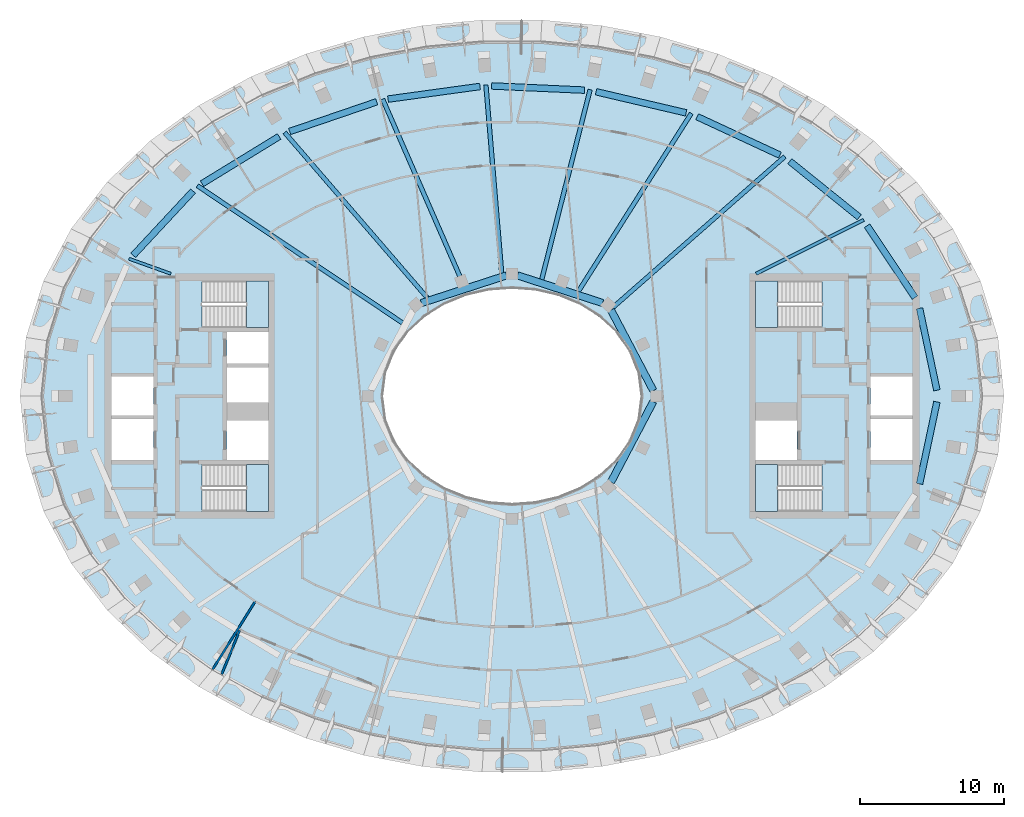
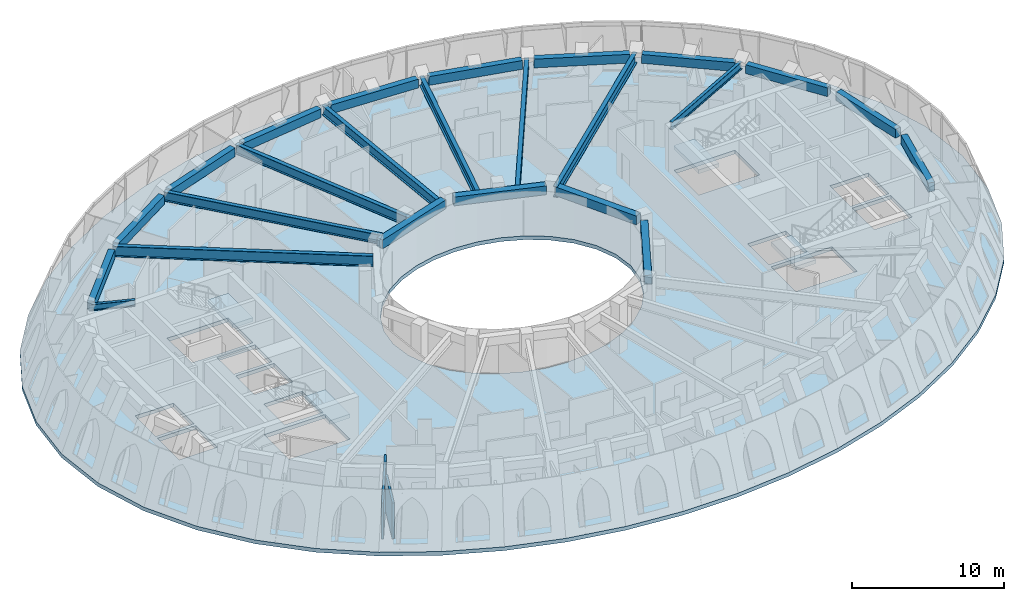
# One storey, part 2 of 14: 24 beams, 5 slabs, 2 walls, 4 elements without a shape of their own.
"""IFC4 building model written with IfcOpenShell, lengths in metres."""

from ifc_helpers import new_model, si_unit, direction, frame, frame_2d, origin, origin_2d, place, context, subcontext, project, spatial, polyline, rectangle, i_section, outline, extrude, material, layer, layer_set, material_profile, profile_set, type_object, element, aggregate, save


model = new_model("IFC4")

# Units and contexts
model_context = context("Model", 3, precision=1e-05, world=origin(), true_north=direction((0.0, 1.0)))
body_context = subcontext(model_context, "Body", "Model", "MODEL_VIEW")
ifc_project = project(units=[si_unit("LENGTHUNIT", "METRE"), si_unit("AREAUNIT", "SQUARE_METRE"), si_unit("VOLUMEUNIT", "CUBIC_METRE"), si_unit("PLANEANGLEUNIT", "RADIAN"), si_unit("MASSUNIT", "GRAM", prefix="KILO")], contexts=[model_context])

# Site, building, storey
site_placement = place(None, origin())
site = spatial("IfcSite", under=ifc_project, at=site_placement, CompositionType="ELEMENT")
building_placement = place(site_placement, origin())
building = spatial("IfcBuilding", under=site, at=building_placement, Name="Noorbagh Ring Tower", CompositionType="ELEMENT")
storey_placement = place(building_placement, frame((0.0, 0.0, 343.0)))
storey = spatial("IfcBuildingStorey", under=building, at=storey_placement, Name="L75", CompositionType="ELEMENT", Elevation=343.0)

# Beams
ifc_material_1 = material(Name="Steel S355", Category="steel")
ifc_material_profile_1 = material_profile(ifc_material_1, i_section(OverallWidth=0.199951171875, OverallDepth=0.5, WebThickness=0.01025390625, FlangeThickness=0.01611328125, FilletRadius=0.02099609375, at=origin_2d()), Name="IPE500")
ifc_profile_set_1 = profile_set([ifc_material_profile_1], Name="Steel S355")
beam_type_1 = type_object("IfcBeamType", Name="STR-RAD-IPE500", PredefinedType="BEAM", material=ifc_profile_set_1)
beam_1_placement = place(storey_placement, frame((-26.586669921875, 9.5322265625, 3.330078125), z_axis=(0.941303269427, -0.337562075723, 0.0), x_axis=(0.337562075723, 0.941303269427, 0.0)))
element("IfcBeam", 1, at=beam_1_placement, inside=storey, type_object=beam_type_1, Name="L75/bm/RD21", PredefinedType="BEAM", context=body_context, shape_type="SweptSolid", body=[
    extrude(i_section(OverallWidth=0.199951171875, OverallDepth=0.5, WebThickness=0.01025390625, FlangeThickness=0.01611328125, FilletRadius=0.02099609375, at=origin_2d()), origin(), (0.0, 0.0, 1.0), 3.078125),
])
ifc_material_2 = material(Name="Steel S355", Category="steel")
ifc_material_profile_2 = material_profile(ifc_material_2, i_section(OverallWidth=0.219970703125, OverallDepth=0.60009765625, WebThickness=0.011962890625, FlangeThickness=0.01904296875, FilletRadius=0.02392578125, at=origin_2d()), Name="IPE600")
ifc_profile_set_2 = profile_set([ifc_material_profile_2], Name="Steel S355")
beam_type_2 = type_object("IfcBeamType", Name="STR-RAD-IPE600", PredefinedType="BEAM", material=ifc_profile_set_2)
beam_2_placement = place(storey_placement, frame((24.421142578125, 12.231689453125, 3.280029296875), z_axis=(-0.894117158384, -0.447833124146, 0.0), x_axis=(0.447833124146, -0.894117158384, 0.0)))
element("IfcBeam", 2, at=beam_2_placement, inside=storey, type_object=beam_type_2, Name="L75/bm/RD05", PredefinedType="BEAM", context=body_context, shape_type="SweptSolid", body=[
    extrude(i_section(OverallWidth=0.219970703125, OverallDepth=0.60009765625, WebThickness=0.011962890625, FlangeThickness=0.01904296875, FilletRadius=0.02392578125, at=origin_2d()), origin(), (0.0, 0.0, 1.0), 8.35302734375),
])
ifc_material_3 = material(Name="Steel S355", Category="steel")
ifc_material_profile_3 = material_profile(ifc_material_3, i_section(OverallWidth=0.300048828125, OverallDepth=0.75, WebThickness=0.013916015625, FlangeThickness=0.02587890625, at=origin_2d()), Name="PG750x300x14x26")
ifc_profile_set_3 = profile_set([ifc_material_profile_3], Name="Steel S355")
beam_type_3 = type_object("IfcBeamType", Name="STR-RAD-PG750x300x14x26", PredefinedType="BEAM", material=ifc_profile_set_3)
beam_3_placement = place(storey_placement, frame((12.447021484375, 19.626953125, 3.205078125), z_axis=(-0.535561733224, -0.844496080456, 0.0), x_axis=(0.844496080456, -0.535561733224, 0.0)))
element("IfcBeam", 3, at=beam_3_placement, inside=storey, type_object=beam_type_3, Name="L75/bm/RD09", PredefinedType="BEAM", context=body_context, shape_type="SweptSolid", body=[
    extrude(i_section(OverallWidth=0.300048828125, OverallDepth=0.75, WebThickness=0.013916015625, FlangeThickness=0.02587890625, at=origin_2d()), origin(), (0.0, 0.0, 1.0), 14.653076171875),
])
beam_4_placement = place(storey_placement, frame((5.421142578125, 21.27001953125, 3.205078125), z_axis=(-0.246984226711, -0.969019500194, 0.0), x_axis=(0.969019500194, -0.246984226711, 0.0)))
element("IfcBeam", 4, at=beam_4_placement, inside=storey, type_object=beam_type_3, Name="L75/bm/RD11", PredefinedType="BEAM", context=body_context, shape_type="SweptSolid", body=[
    extrude(i_section(OverallWidth=0.300048828125, OverallDepth=0.75, WebThickness=0.013916015625, FlangeThickness=0.02587890625, at=origin_2d()), origin(), (0.0, 0.0, 1.0), 13.615478515625),
])
beam_5_placement = place(storey_placement, frame((-1.8125, 21.59619140625, 3.205078125), z_axis=(0.083624107513, -0.996497370113, 0.0), x_axis=(0.996497370113, 0.083624107513, 0.0)))
element("IfcBeam", 5, at=beam_5_placement, inside=storey, type_object=beam_type_3, Name="L75/bm/RD13", PredefinedType="BEAM", context=body_context, shape_type="SweptSolid", body=[
    extrude(i_section(OverallWidth=0.300048828125, OverallDepth=0.75, WebThickness=0.013916015625, FlangeThickness=0.02587890625, at=origin_2d()), origin(), (0.0, 0.0, 1.0), 13.12890625),
])
beam_6_placement = place(storey_placement, frame((-8.978515625, 20.615234375, 3.205078125), z_axis=(0.399297222703, -0.916821535492, 0.0), x_axis=(0.916821535492, 0.399297222703, 0.0)))
element("IfcBeam", 6, at=beam_6_placement, inside=storey, type_object=beam_type_3, Name="L75/bm/RD15", PredefinedType="BEAM", context=body_context, shape_type="SweptSolid", body=[
    extrude(i_section(OverallWidth=0.300048828125, OverallDepth=0.75, WebThickness=0.013916015625, FlangeThickness=0.02587890625, at=origin_2d()), origin(), (0.0, 0.0, 1.0), 14.12890625),
])
beam_7_placement = place(storey_placement, frame((-15.783203125, 18.299072265625, 3.205078125), z_axis=(0.653131933297, -0.757244133492, 0.0), x_axis=(0.757244133492, 0.653131933297, 0.0)))
element("IfcBeam", 7, at=beam_7_placement, inside=storey, type_object=beam_type_3, Name="L75/bm/RD17", PredefinedType="BEAM", context=body_context, shape_type="SweptSolid", body=[
    extrude(i_section(OverallWidth=0.300048828125, OverallDepth=0.75, WebThickness=0.013916015625, FlangeThickness=0.02587890625, at=origin_2d()), origin(), (0.0, 0.0, 1.0), 15.1416015625),
])
ifc_material_4 = material(Name="Steel S355", Category="steel")
ifc_material_profile_4 = material_profile(ifc_material_4, i_section(OverallWidth=0.300048828125, OverallDepth=0.85009765625, WebThickness=0.013916015625, FlangeThickness=0.028076171875, at=origin_2d()), Name="PG850x300x14x28")
ifc_profile_set_4 = profile_set([ifc_material_profile_4], Name="Steel S355")
beam_type_4 = type_object("IfcBeamType", Name="STR-RAD-PG850x300x14x28", PredefinedType="BEAM", material=ifc_profile_set_4)
beam_8_placement = place(storey_placement, frame((18.935302734375, 16.625244140625, 3.155029296875), z_axis=(-0.751460685639, -0.659777870149, 0.0), x_axis=(0.659777870149, -0.751460685639, 0.0)))
element("IfcBeam", 8, at=beam_8_placement, inside=storey, type_object=beam_type_4, Name="L75/bm/RD07", PredefinedType="BEAM", context=body_context, shape_type="SweptSolid", body=[
    extrude(i_section(OverallWidth=0.300048828125, OverallDepth=0.85009765625, WebThickness=0.013916015625, FlangeThickness=0.028076171875, at=origin_2d()), origin(), (0.0, 0.0, 1.0), 16.304931640625),
])
beam_9_placement = place(storey_placement, frame((-21.84033203125, 14.601806640625, 3.155029296875), z_axis=(0.831319419841, -0.555794946177, 0.0), x_axis=(0.555794946177, 0.831319419841, 0.0)))
element("IfcBeam", 9, at=beam_9_placement, inside=storey, type_object=beam_type_4, Name="L75/bm/RD19", PredefinedType="BEAM", context=body_context, shape_type="SweptSolid", body=[
    extrude(i_section(OverallWidth=0.300048828125, OverallDepth=0.85009765625, WebThickness=0.013916015625, FlangeThickness=0.028076171875, at=origin_2d()), origin(), (0.0, 0.0, 1.0), 17.1298828125),
])
ifc_material_5 = material(Name="Concrete C40/50", Category="concrete")
ifc_material_profile_5 = material_profile(ifc_material_5, rectangle(XDim=0.5, YDim=0.699951171875, at=origin_2d()), Name="RC500x700")
ifc_profile_set_5 = profile_set([ifc_material_profile_5], Name="Concrete C40/50")
beam_type_5 = type_object("IfcBeamType", Name="STR-RB-RC500x700-C40-50", PredefinedType="BEAM", material=ifc_profile_set_5)
beam_10_placement = place(storey_placement, frame((9.8076171875, 0.38232421875, 3.22998046875), z_axis=(-0.464943021964, 0.885340604698, 0.0), x_axis=(-0.885340604698, -0.464943021964, 0.0)))
element("IfcBeam", 10, at=beam_10_placement, inside=storey, type_object=beam_type_5, Name="L75/bm/RG01", PredefinedType="BEAM", context=body_context, shape_type="SweptSolid", body=[
    extrude(rectangle(XDim=0.5, YDim=0.699951171875, at=origin_2d()), origin(), (0.0, 0.0, 1.0), 6.313720703125),
])
for number, where, z_axis, x_axis, name in (
    (11, (6.286865234375, 6.462158203125, 3.22998046875), (-0.951150444931, 0.308727762126, 0.0), (-0.308727762126, -0.951150444931, 0.0), "L75/bm/RG03"),
    (12, (-0.380859375, 8.379150390625, 3.22998046875), (-0.951150444931, -0.308727762126, 0.0), (0.308727762126, -0.951150444931, 0.0), "L75/bm/RG05"),
):
    element("IfcBeam", number, at=place(storey_placement, frame(where, z_axis=z_axis, x_axis=x_axis)), inside=storey, type_object=beam_type_5, Name=name, PredefinedType="BEAM", context=body_context, shape_type="SweptSolid", body=[
        extrude(rectangle(XDim=0.5, YDim=0.699951171875, at=origin_2d()), origin(), (0.0, 0.0, 1.0), 6.209228515625),
    ])
beam_11_placement = place(storey_placement, frame((6.8720703125, -5.97216796875, 3.22998046875), z_axis=(0.464943021964, 0.885340604698, 0.0), x_axis=(-0.885340604698, 0.464943021964, 0.0)))
element("IfcBeam", 13, at=beam_11_placement, inside=storey, type_object=beam_type_5, Name="L75/bm/RG15", PredefinedType="BEAM", context=body_context, shape_type="SweptSolid", body=[
    extrude(rectangle(XDim=0.5, YDim=0.699951171875, at=origin_2d()), origin(), (0.0, 0.0, 1.0), 6.313720703125),
])
ifc_material_6 = material(Name="Concrete C40/50", Category="concrete")
ifc_material_profile_6 = material_profile(ifc_material_6, rectangle(XDim=0.449951171875, YDim=0.699951171875, at=origin_2d()), Name="RC450x700")
ifc_profile_set_6 = profile_set([ifc_material_profile_6], Name="Concrete C40/50")
beam_type_6 = type_object("IfcBeamType", Name="STR-SB-RC450x700-C40-50", PredefinedType="BEAM", material=ifc_profile_set_6)
beam_12_placement = place(storey_placement, frame((29.499267578125, 0.405517578125, 3.22998046875), z_axis=(-0.207227675209, 0.978292742806, 0.0), x_axis=(-0.978292742806, -0.207227675209, 0.0)))
element("IfcBeam", 14, at=beam_12_placement, inside=storey, type_object=beam_type_6, Name="L75/bm/SP01", PredefinedType="BEAM", context=body_context, shape_type="SweptSolid", body=[
    extrude(rectangle(XDim=0.449951171875, YDim=0.699951171875, at=origin_2d()), origin(), (0.0, 0.0, 1.0), 5.811767578125),
])
beam_13_placement = place(storey_placement, frame((27.98046875, 6.83837890625, 3.22998046875), z_axis=(-0.554916538762, 0.831906025347, 0.0), x_axis=(-0.831906025347, -0.554916538762, 0.0)))
element("IfcBeam", 15, at=beam_13_placement, inside=storey, type_object=beam_type_6, Name="L75/bm/SP03", PredefinedType="BEAM", context=body_context, shape_type="SweptSolid", body=[
    extrude(rectangle(XDim=0.449951171875, YDim=0.699951171875, at=origin_2d()), origin(), (0.0, 0.0, 1.0), 5.9892578125),
])
beam_14_placement = place(storey_placement, frame((24.1103515625, 12.4189453125, 3.22998046875), z_axis=(-0.779092016684, 0.626909586415, 0.0), x_axis=(-0.626909586415, -0.779092016684, 0.0)))
element("IfcBeam", 16, at=beam_14_placement, inside=storey, type_object=beam_type_6, Name="L75/bm/SP05", PredefinedType="BEAM", context=body_context, shape_type="SweptSolid", body=[
    extrude(rectangle(XDim=0.449951171875, YDim=0.699951171875, at=origin_2d()), origin(), (0.0, 0.0, 1.0), 6.19091796875),
])
beam_15_placement = place(storey_placement, frame((18.598876953125, 16.72802734375, 3.22998046875), z_axis=(-0.906970067823, 0.421195080779, 0.0), x_axis=(-0.421195080779, -0.906970067823, 0.0)))
element("IfcBeam", 17, at=beam_15_placement, inside=storey, type_object=beam_type_6, Name="L75/bm/SP07", PredefinedType="BEAM", context=body_context, shape_type="SweptSolid", body=[
    extrude(rectangle(XDim=0.449951171875, YDim=0.699951171875, at=origin_2d()), origin(), (0.0, 0.0, 1.0), 6.3359375),
])
beam_16_placement = place(storey_placement, frame((12.08642578125, 19.661376953125, 3.22998046875), z_axis=(-0.973567575647, 0.228399158601, 0.0), x_axis=(-0.228399158601, -0.973567575647, 0.0)))
element("IfcBeam", 18, at=beam_16_placement, inside=storey, type_object=beam_type_6, Name="L75/bm/SP09", PredefinedType="BEAM", context=body_context, shape_type="SweptSolid", body=[
    extrude(rectangle(XDim=0.449951171875, YDim=0.699951171875, at=origin_2d()), origin(), (0.0, 0.0, 1.0), 6.419921875),
])
beam_17_placement = place(storey_placement, frame((5.03369140625, 21.239013671875, 3.22998046875), z_axis=(-0.998979199378, 0.045172549292, 0.0), x_axis=(-0.045172549292, -0.998979199378, 0.0)))
element("IfcBeam", 19, at=beam_17_placement, inside=storey, type_object=beam_type_6, Name="L75/bm/SP11", PredefinedType="BEAM", context=body_context, shape_type="SweptSolid", body=[
    extrude(rectangle(XDim=0.449951171875, YDim=0.699951171875, at=origin_2d()), origin(), (0.0, 0.0, 1.0), 6.453125),
])
beam_18_placement = place(storey_placement, frame((-2.22216796875, 21.49365234375, 3.22998046875), z_axis=(-0.990701967037, -0.136050036786, 0.0), x_axis=(0.136050036786, -0.990701967037, 0.0)))
element("IfcBeam", 20, at=beam_18_placement, inside=storey, type_object=beam_type_6, Name="L75/bm/SP13", PredefinedType="BEAM", context=body_context, shape_type="SweptSolid", body=[
    extrude(rectangle(XDim=0.449951171875, YDim=0.699951171875, at=origin_2d()), origin(), (0.0, 0.0, 1.0), 6.442138671875),
])
beam_19_placement = place(storey_placement, frame((-9.392822265625, 20.43017578125, 3.22998046875), z_axis=(-0.946325041054, -0.323216516709, 0.0), x_axis=(0.323216516709, -0.946325041054, 0.0)))
element("IfcBeam", 21, at=beam_19_placement, inside=storey, type_object=beam_type_6, Name="L75/bm/SP15", PredefinedType="BEAM", context=body_context, shape_type="SweptSolid", body=[
    extrude(rectangle(XDim=0.449951171875, YDim=0.699951171875, at=origin_2d()), origin(), (0.0, 0.0, 1.0), 6.385009765625),
])
beam_20_placement = place(storey_placement, frame((-16.16845703125, 18.021728515625, 3.22998046875), z_axis=(-0.852552574535, -0.522641471426, 0.0), x_axis=(0.522641471426, -0.852552574535, 0.0)))
element("IfcBeam", 22, at=beam_20_placement, inside=storey, type_object=beam_type_6, Name="L75/bm/SP17", PredefinedType="BEAM", context=body_context, shape_type="SweptSolid", body=[
    extrude(rectangle(XDim=0.449951171875, YDim=0.699951171875, at=origin_2d()), origin(), (0.0, 0.0, 1.0), 6.271728515625),
])
beam_21_placement = place(storey_placement, frame((-22.142822265625, 14.230712890625, 3.22998046875), z_axis=(-0.681564283334, -0.731758244015, 0.0), x_axis=(0.731758244015, -0.681564283334, 0.0)))
element("IfcBeam", 23, at=beam_21_placement, inside=storey, type_object=beam_type_6, Name="L75/bm/SP19", PredefinedType="BEAM", context=body_context, shape_type="SweptSolid", body=[
    extrude(rectangle(XDim=0.449951171875, YDim=0.699951171875, at=origin_2d()), origin(), (0.0, 0.0, 1.0), 6.094482421875),
])
beam_22_placement = place(storey_placement, frame((28.294921875, -6.091064453125, 3.22998046875), z_axis=(0.207227675209, 0.978292742806, 0.0), x_axis=(-0.978292742806, 0.207227675209, 0.0)))
element("IfcBeam", 24, at=beam_22_placement, inside=storey, type_object=beam_type_6, Name="L75/bm/SP45", PredefinedType="BEAM", context=body_context, shape_type="SweptSolid", body=[
    extrude(rectangle(XDim=0.449951171875, YDim=0.699951171875, at=origin_2d()), origin(), (0.0, 0.0, 1.0), 5.811767578125),
])

# Stair, slab
ifc_material_7 = material(Name="Concrete C40/50", Category="concrete")
stair_type = type_object("IfcStairType", Name="CORE-STAIR", PredefinedType="HALF_TURN_STAIR", material=ifc_material_7)
stair_1_placement = place(storey_placement, origin())
stair_1 = element("IfcStair", 25, at=stair_1_placement, inside=storey, type_object=stair_type, Name="L75 Exit stair ST1", PredefinedType="HALF_TURN_STAIR")
ifc_material_8 = material(Name="Concrete C40/50", Category="concrete")
ifc_layer_1 = layer(ifc_material_8, 0.300048828125)
ifc_layer_set_1 = layer_set([ifc_layer_1], Name="Concrete C40/50")
slab_type_1 = type_object("IfcSlabType", Name="CORE-STAIR-LANDING", PredefinedType="LANDING", material=ifc_layer_set_1)
slab_1_placement = place(storey_placement, frame((0.0, 0.0, 1.699951171875)))
slab_1 = element("IfcSlab", 26, at=slab_1_placement, type_object=slab_type_1, Name="ST1 landing 1", PredefinedType="LANDING", context=body_context, shape_type="SweptSolid", body=[
    extrude(outline(polyline([(-18.449951171875, 4.75), (-16.89990234375, 4.75), (-16.89990234375, 8.0), (-18.449951171875, 8.0), (-18.449951171875, 4.75)])), origin(), (0.0, 0.0, 1.0), 0.300048828125),
])
aggregate(stair_1, [slab_1])

stair_2_placement = place(storey_placement, origin())
stair_2 = element("IfcStair", 27, at=stair_2_placement, inside=storey, type_object=stair_type, Name="L75 Exit stair ST2", PredefinedType="HALF_TURN_STAIR")
slab_2_placement = place(storey_placement, frame((0.0, 0.0, 1.699951171875)))
slab_2 = element("IfcSlab", 28, at=slab_2_placement, type_object=slab_type_1, Name="ST2 landing 1", PredefinedType="LANDING", context=body_context, shape_type="SweptSolid", body=[
    extrude(outline(polyline([(-18.449951171875, -8.0), (-16.89990234375, -8.0), (-16.89990234375, -4.75), (-18.449951171875, -4.75), (-18.449951171875, -8.0)])), origin(), (0.0, 0.0, 1.0), 0.300048828125),
])
aggregate(stair_2, [slab_2])

stair_3_placement = place(storey_placement, origin())
stair_3 = element("IfcStair", 29, at=stair_3_placement, inside=storey, type_object=stair_type, Name="L75 Exit stair ST3", PredefinedType="HALF_TURN_STAIR")
slab_3_placement = place(storey_placement, frame((0.0, 0.0, 1.699951171875)))
slab_3 = element("IfcSlab", 30, at=slab_3_placement, type_object=slab_type_1, Name="ST3 landing 1", PredefinedType="LANDING", context=body_context, shape_type="SweptSolid", body=[
    extrude(outline(polyline([(18.449951171875, 8.0), (16.89990234375, 8.0), (16.89990234375, 4.75), (18.449951171875, 4.75), (18.449951171875, 8.0)])), origin(), (0.0, 0.0, 1.0), 0.300048828125),
])
aggregate(stair_3, [slab_3])

stair_4_placement = place(storey_placement, origin())
stair_4 = element("IfcStair", 31, at=stair_4_placement, inside=storey, type_object=stair_type, Name="L75 Exit stair ST4", PredefinedType="HALF_TURN_STAIR")
slab_4_placement = place(storey_placement, frame((0.0, 0.0, 1.699951171875)))
slab_4 = element("IfcSlab", 32, at=slab_4_placement, type_object=slab_type_1, Name="ST4 landing 1", PredefinedType="LANDING", context=body_context, shape_type="SweptSolid", body=[
    extrude(outline(polyline([(18.449951171875, -4.75), (16.89990234375, -4.75), (16.89990234375, -8.0), (18.449951171875, -8.0), (18.449951171875, -4.75)])), origin(), (0.0, 0.0, 1.0), 0.300048828125),
])
aggregate(stair_4, [slab_4])

# Slab
ifc_material_9 = material(Name="Concrete C40/50", Category="concrete")
ifc_layer_2 = layer(ifc_material_9, 0.300048828125)
ifc_layer_set_2 = layer_set([ifc_layer_2], Name="Concrete C40/50")
slab_type_2 = type_object("IfcSlabType", Name="STR-FLOOR-DECK-300", PredefinedType="FLOOR", material=ifc_layer_set_2)
slab_5_placement = place(storey_placement, frame((0.0, 0.0, -0.300048828125)))
element("IfcSlab", 33, at=slab_5_placement, inside=storey, type_object=slab_type_2, Name="L75/slab/1", PredefinedType="FLOOR", context=body_context, shape_type="SweptSolid", body=[
    extrude(outline(polyline([(34.157470703125, 0.0), (33.7412109375, 4.07177734375), (32.526611328125, 7.986328125), (30.6044921875, 11.616455078125), (28.09228515625, 14.880126953125), (25.108642578125, 17.734130859375), (21.7587890625, 20.16357421875), (18.13037109375, 22.168701171875), (14.294189453125, 23.757080078125), (10.309326171875, 24.937744140625), (6.223876953125, 25.7197265625), (2.0810546875, 26.10888671875), (-2.0810546875, 26.10888671875), (-6.223876953125, 25.7197265625), (-10.309326171875, 24.937744140625), (-14.294189453125, 23.757080078125), (-18.13037109375, 22.168701171875), (-21.7587890625, 20.16357421875), (-25.108642578125, 17.734130859375), (-28.09228515625, 14.880126953125), (-30.6044921875, 11.616455078125), (-32.526611328125, 7.986328125), (-33.7412109375, 4.07177734375), (-34.157470703125, 0.0), (-33.7412109375, -4.07177734375), (-32.526611328125, -7.986328125), (-30.6044921875, -11.616455078125), (-28.09228515625, -14.880126953125), (-25.108642578125, -17.734130859375), (-21.7587890625, -20.16357421875), (-18.13037109375, -22.168701171875), (-14.294189453125, -23.757080078125), (-10.309326171875, -24.937744140625), (-6.223876953125, -25.7197265625), (-2.0810546875, -26.10888671875), (2.0810546875, -26.10888671875), (6.223876953125, -25.7197265625), (10.309326171875, -24.937744140625), (14.294189453125, -23.757080078125), (18.13037109375, -22.168701171875), (21.7587890625, -20.16357421875), (25.108642578125, -17.734130859375), (28.09228515625, -14.880126953125), (30.6044921875, -11.616455078125), (32.526611328125, -7.986328125), (33.7412109375, -4.07177734375), (34.157470703125, 0.0)]), holes=[polyline([(24.89990234375, -1.60009765625), (27.800048828125, -1.60009765625), (27.800048828125, -4.449951171875), (24.89990234375, -4.449951171875), (24.89990234375, -1.60009765625)]), polyline([(24.89990234375, 1.35009765625), (27.800048828125, 1.35009765625), (27.800048828125, -1.35009765625), (24.89990234375, -1.35009765625), (24.89990234375, 1.35009765625)]), polyline([(21.529541015625, -8.0), (16.89990234375, -8.0), (16.89990234375, -4.75), (21.529541015625, -4.75), (21.529541015625, -8.0)]), polyline([(21.529541015625, 4.75), (16.89990234375, 4.75), (16.89990234375, 8.0), (21.529541015625, 8.0), (21.529541015625, 4.75)]), polyline([(16.89990234375, -1.699951171875), (19.800048828125, -1.699951171875), (19.800048828125, -4.449951171875), (16.89990234375, -4.449951171875), (16.89990234375, -1.699951171875)]), polyline([(4.697509765625, -6.3974609375), (3.196533203125, -7.010986328125), (1.6171875, -7.3779296875), (0.0, -7.5), (-1.6171875, -7.3779296875), (-3.196533203125, -7.010986328125), (-4.697509765625, -6.3974609375), (-6.071044921875, -5.53662109375), (-7.2587890625, -4.43408203125), (-8.1904296875, -3.10888671875), (-8.79150390625, -1.605224609375), (-9.0, 0.0), (-8.79150390625, 1.605224609375), (-8.1904296875, 3.10888671875), (-7.2587890625, 4.43408203125), (-6.071044921875, 5.53662109375), (-4.697509765625, 6.3974609375), (-3.196533203125, 7.010986328125), (-1.6171875, 7.3779296875), (0.0, 7.5), (1.6171875, 7.3779296875), (3.196533203125, 7.010986328125), (4.697509765625, 6.3974609375), (6.071044921875, 5.53662109375), (7.2587890625, 4.43408203125), (8.1904296875, 3.10888671875), (8.79150390625, 1.605224609375), (9.0, 0.0), (8.79150390625, -1.605224609375), (8.1904296875, -3.10888671875), (7.2587890625, -4.43408203125), (6.071044921875, -5.53662109375), (4.697509765625, -6.3974609375)]), polyline([(-21.529541015625, -8.0), (-21.529541015625, -4.75), (-16.89990234375, -4.75), (-16.89990234375, -8.0), (-21.529541015625, -8.0)]), polyline([(-21.529541015625, 4.75), (-21.529541015625, 8.0), (-16.89990234375, 8.0), (-16.89990234375, 4.75), (-21.529541015625, 4.75)]), polyline([(-16.89990234375, -4.449951171875), (-19.800048828125, -4.449951171875), (-19.800048828125, -1.699951171875), (-16.89990234375, -1.699951171875), (-16.89990234375, -4.449951171875)]), polyline([(-16.89990234375, -0.449951171875), (-19.800048828125, -0.449951171875), (-19.800048828125, 2.0), (-16.89990234375, 2.0), (-16.89990234375, -0.449951171875)]), polyline([(-16.89990234375, 2.25), (-19.800048828125, 2.25), (-19.800048828125, 4.449951171875), (-16.89990234375, 4.449951171875), (-16.89990234375, 2.25)]), polyline([(-24.89990234375, -4.449951171875), (-27.800048828125, -4.449951171875), (-27.800048828125, -1.60009765625), (-24.89990234375, -1.60009765625), (-24.89990234375, -4.449951171875)]), polyline([(-24.89990234375, 1.35009765625), (-24.89990234375, -1.35009765625), (-27.800048828125, -1.35009765625), (-27.800048828125, 1.35009765625), (-24.89990234375, 1.35009765625)])]), origin(), (0.0, 0.0, 1.0), 0.300048828125),
])

# Walls
ifc_material_10 = material(Name="Gypsum board on steel studs", Category="steel")
ifc_layer_3 = layer(ifc_material_10, 0.14990234375)
ifc_layer_set_3 = layer_set([ifc_layer_3], Name="Gypsum board on steel studs")
wall_type = type_object("IfcWallType", Name="CORRIDOR PARTITION 150 EI 30", PredefinedType="PARTITIONING", material=ifc_layer_set_3)
wall_1_placement = place(storey_placement, frame((-20.779052734375, -18.967041015625, 0.0), z_axis=(0.0, 0.0, 1.0), x_axis=(0.53112012448, 0.847296532137, 0.0)))
element("IfcWall", 34, at=wall_1_placement, inside=storey, type_object=wall_type, Name="L75/wall/P12", PredefinedType="PARTITIONING", context=body_context, shape_type="SweptSolid", body=[
    extrude(rectangle(XDim=5.556396484375, YDim=0.14990234375, at=frame_2d((2.7783203125, 0.0))), origin(), (0.0, 0.0, 1.0), 2.8798828125),
])
wall_2_placement = place(storey_placement, frame((-20.14892578125, -19.305908203125, 0.0), z_axis=(0.0, 0.0, 1.0), x_axis=(0.37802559239, 0.925795145536, 0.0)))
element("IfcWall", 35, at=wall_2_placement, inside=storey, type_object=wall_type, Name="L75/wall/P16", PredefinedType="PARTITIONING", context=body_context, shape_type="SweptSolid", body=[
    extrude(rectangle(XDim=3.287841796875, YDim=0.14990234375, at=frame_2d((1.64404296875, 0.0))), origin(), (0.0, 0.0, 1.0), 2.8798828125),
])

save(model, "model.ifc")
